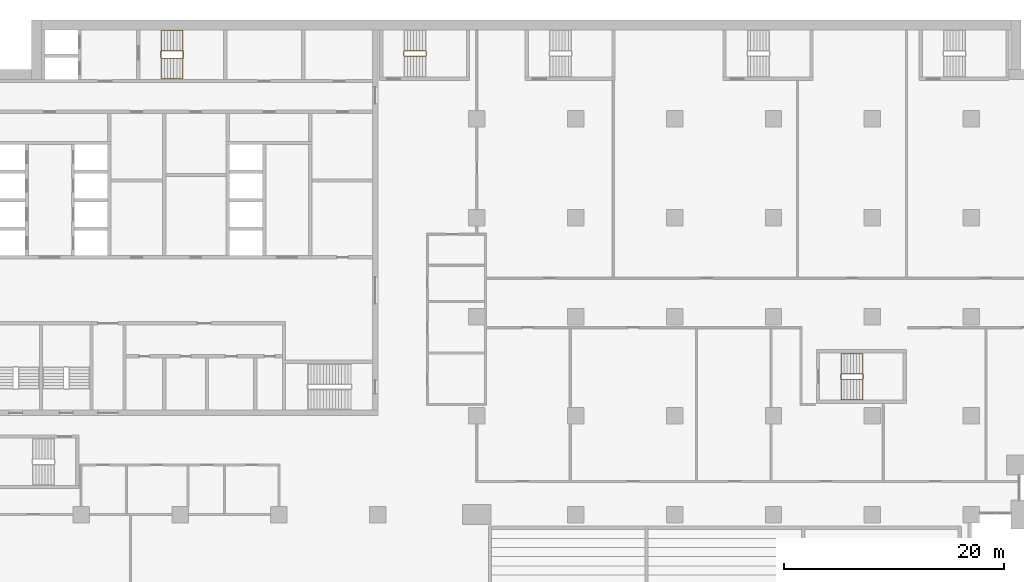
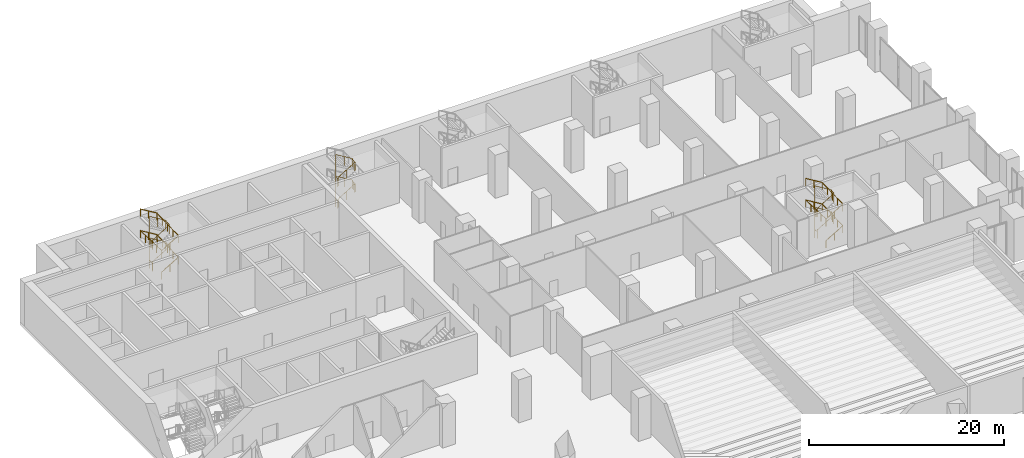
# One storey, part 36 of 44: 5 railings.
"""IFC4 building model written with IfcOpenShell, lengths in metres."""

from ifc_helpers import new_model, si_unit, direction, frame, origin, origin_2d, place, context, subcontext, project, spatial, circle, extrude, material, type_object, element, save


model = new_model("IFC4")

# Units and contexts
model_context = context("Model", 3, precision=1e-05, world=origin(), true_north=direction((0.0, 1.0)))
body_context = subcontext(model_context, "Body", "Model", "MODEL_VIEW")
ifc_project = project(units=[si_unit("LENGTHUNIT", "METRE"), si_unit("AREAUNIT", "SQUARE_METRE"), si_unit("VOLUMEUNIT", "CUBIC_METRE"), si_unit("PLANEANGLEUNIT", "RADIAN"), si_unit("MASSUNIT", "GRAM", prefix="KILO")], contexts=[model_context])

# Site, building, storey
site_placement = place(None, origin())
site = spatial("IfcSite", under=ifc_project, at=site_placement, CompositionType="ELEMENT")
building_placement = place(site_placement, origin())
building = spatial("IfcBuilding", under=site, at=building_placement, Name="Hunhe Ridgeline Campus", CompositionType="ELEMENT")
storey_placement = place(building_placement, frame((0.0, 0.0, 6.0)))
storey = spatial("IfcBuildingStorey", under=building, at=storey_placement, Name="L01", CompositionType="ELEMENT", Elevation=6.0)

# Railings
ifc_material_1 = material(Name="Stainless steel balustrade", Category="steel")
railing_type_1 = type_object("IfcRailingType", Name="Stair guard 1100 stainless", PredefinedType="GUARDRAIL", material=ifc_material_1)
railing_1_placement = place(storey_placement, frame((16.300048828125, 95.5, 0.168701171875)))
element("IfcRailing", 1, at=railing_1_placement, inside=storey, type_object=railing_type_1, Name="L01 stair S1 guard", PredefinedType="GUARDRAIL", context=body_context, shape_type="SweptSolid", body=[
    extrude(circle(Radius=0.02392578125, at=origin_2d()), frame((0.0, 0.0, 1.076171875), z_axis=(0.856446297458, 0.0, 0.516236127728), x_axis=(0.0, 1.0, 0.0)), (0.0, 0.0, 1.0), 2.28857421875),
    extrude(circle(Radius=0.02392578125, at=origin_2d()), frame((1.9599609375, 0.0, 2.25732421875), z_axis=(0.707106781187, 0.707106781187, 0.0), x_axis=(-0.707106781187, 0.707106781187, 0.0)), (0.0, 0.0, 1.0), 0.07080078125),
    extrude(circle(Radius=0.02392578125, at=origin_2d()), frame((2.010009765625, 0.050048828125, 2.25732421875), z_axis=(0.0, 1.0, 0.0), x_axis=(-1.0, 0.0, 0.0)), (0.0, 0.0, 1.0), 0.599853515625),
    extrude(circle(Radius=0.02392578125, at=origin_2d()), frame((2.010009765625, 0.64990234375, 2.25732421875), z_axis=(-0.273569069059, 0.273569069059, 0.922127935218), x_axis=(-0.707106781187, -0.707106781187, 0.0)), (0.0, 0.0, 1.0), 0.182861328125),
    extrude(circle(Radius=0.02392578125, at=origin_2d()), frame((1.9599609375, 0.699951171875, 2.42626953125), z_axis=(-0.856493463811, 0.0, 0.516157869696), x_axis=(0.0, -1.0, 0.0)), (0.0, 0.0, 1.0), 2.288330078125),
    extrude(circle(Radius=0.02392578125, at=origin_2d()), frame((0.0, 0.699951171875, 3.607421875), z_axis=(-0.707106781187, -0.707106781187, 0.0), x_axis=(0.707106781187, -0.707106781187, 0.0)), (0.0, 0.0, 1.0), 0.07080078125),
    extrude(circle(Radius=0.02392578125, at=origin_2d()), frame((-0.050048828125, 0.64990234375, 3.607421875), z_axis=(0.0, -1.0, 0.0), x_axis=(1.0, 0.0, 0.0)), (0.0, 0.0, 1.0), 0.599853515625),
    extrude(circle(Radius=0.02392578125, at=origin_2d()), frame((-0.050048828125, 0.050048828125, 3.607421875), z_axis=(0.273569069059, -0.273569069059, 0.922127935218), x_axis=(0.707106781187, 0.707106781187, 0.0)), (0.0, 0.0, 1.0), 0.182861328125),
    extrude(circle(Radius=0.02392578125, at=origin_2d()), frame((0.0, 0.0, 3.77587890625), z_axis=(0.856446297458, 0.0, 0.516236127728), x_axis=(0.0, 1.0, 0.0)), (0.0, 0.0, 1.0), 2.28857421875),
    extrude(circle(Radius=0.02392578125, at=origin_2d()), frame((1.9599609375, 0.0, 4.95751953125), z_axis=(0.707106781187, 0.707106781187, 0.0), x_axis=(-0.707106781187, 0.707106781187, 0.0)), (0.0, 0.0, 1.0), 0.07080078125),
    extrude(circle(Radius=0.02392578125, at=origin_2d()), frame((2.010009765625, 0.050048828125, 4.95751953125), z_axis=(0.0, 1.0, 0.0), x_axis=(-1.0, 0.0, 0.0)), (0.0, 0.0, 1.0), 0.599853515625),
    extrude(circle(Radius=0.02392578125, at=origin_2d()), frame((2.010009765625, 0.64990234375, 4.95751953125), z_axis=(-0.273569069059, 0.273569069059, 0.922127935218), x_axis=(-0.707106781187, -0.707106781187, 0.0)), (0.0, 0.0, 1.0), 0.182861328125),
    extrude(circle(Radius=0.02392578125, at=origin_2d()), frame((1.9599609375, 0.699951171875, 5.1259765625), z_axis=(-0.856493463811, 0.0, 0.516157869696), x_axis=(0.0, -1.0, 0.0)), (0.0, 0.0, 1.0), 2.288330078125),
    extrude(circle(Radius=0.02392578125, at=origin_2d()), frame((0.0, 0.699951171875, 6.30712890625), z_axis=(-0.009267673019, -0.009267673019, -0.999914106548), x_axis=(1.0, 0.0, 0.0)), (0.0, 0.0, 1.0), 5.400390625),
    extrude(circle(Radius=0.02392578125, at=origin_2d()), frame((-0.050048828125, 0.64990234375, 0.9072265625), z_axis=(0.0, -1.0, 0.0), x_axis=(1.0, 0.0, 0.0)), (0.0, 0.0, 1.0), 0.599853515625),
    extrude(circle(Radius=0.02099609375, at=origin_2d()), origin(), (0.0, 0.0, 1.0), 1.052001953125),
    extrude(circle(Radius=0.02099609375, at=origin_2d()), frame((0.97998046875, 0.0, 0.5908203125)), (0.0, 0.0, 1.0), 1.052001953125),
    extrude(circle(Radius=0.02099609375, at=origin_2d()), frame((1.9599609375, 0.0, 1.181396484375)), (0.0, 0.0, 1.0), 1.052001953125),
    extrude(circle(Radius=0.02099609375, at=origin_2d()), frame((2.010009765625, 0.050048828125, 1.181396484375)), (0.0, 0.0, 1.0), 1.052001953125),
    extrude(circle(Radius=0.02099609375, at=origin_2d()), frame((2.010009765625, 0.64990234375, 1.181396484375)), (0.0, 0.0, 1.0), 1.052001953125),
    extrude(circle(Radius=0.02099609375, at=origin_2d()), frame((1.9599609375, 0.699951171875, 1.35009765625)), (0.0, 0.0, 1.0), 1.052001953125),
    extrude(circle(Radius=0.02099609375, at=origin_2d()), frame((0.97998046875, 0.699951171875, 1.940673828125)), (0.0, 0.0, 1.0), 1.052001953125),
    extrude(circle(Radius=0.02099609375, at=origin_2d()), frame((0.0, 0.699951171875, 2.53125)), (0.0, 0.0, 1.0), 1.052001953125),
    extrude(circle(Radius=0.02099609375, at=origin_2d()), frame((-0.050048828125, 0.64990234375, 2.53125)), (0.0, 0.0, 1.0), 1.052001953125),
    extrude(circle(Radius=0.02099609375, at=origin_2d()), frame((-0.050048828125, 0.050048828125, 2.53125)), (0.0, 0.0, 1.0), 1.052001953125),
    extrude(circle(Radius=0.02099609375, at=origin_2d()), frame((0.0, 0.0, 2.699951171875)), (0.0, 0.0, 1.0), 1.052001953125),
    extrude(circle(Radius=0.02099609375, at=origin_2d()), frame((0.97998046875, 0.0, 3.29052734375)), (0.0, 0.0, 1.0), 1.052001953125),
    extrude(circle(Radius=0.02099609375, at=origin_2d()), frame((1.9599609375, 0.0, 3.88134765625)), (0.0, 0.0, 1.0), 1.052001953125),
    extrude(circle(Radius=0.02099609375, at=origin_2d()), frame((2.010009765625, 0.050048828125, 3.88134765625)), (0.0, 0.0, 1.0), 1.052001953125),
    extrude(circle(Radius=0.02099609375, at=origin_2d()), frame((2.010009765625, 0.64990234375, 3.88134765625)), (0.0, 0.0, 1.0), 1.052001953125),
    extrude(circle(Radius=0.02099609375, at=origin_2d()), frame((1.9599609375, 0.699951171875, 4.050048828125)), (0.0, 0.0, 1.0), 1.052001953125),
    extrude(circle(Radius=0.02099609375, at=origin_2d()), frame((0.97998046875, 0.699951171875, 4.640625)), (0.0, 0.0, 1.0), 1.052001953125),
    extrude(circle(Radius=0.02099609375, at=origin_2d()), frame((0.0, 0.699951171875, 5.231201171875)), (0.0, 0.0, 1.0), 1.052001953125),
    extrude(circle(Radius=0.02099609375, at=origin_2d()), frame((-0.010009765625, 0.68994140625, 4.151123046875)), (0.0, 0.0, 1.0), 1.052001953125),
    extrude(circle(Radius=0.02099609375, at=origin_2d()), frame((-0.02001953125, 0.679931640625, 3.0712890625)), (0.0, 0.0, 1.0), 1.052001953125),
    extrude(circle(Radius=0.02099609375, at=origin_2d()), frame((-0.030029296875, 0.669921875, 1.9912109375)), (0.0, 0.0, 1.0), 1.052001953125),
    extrude(circle(Radius=0.02099609375, at=origin_2d()), frame((-0.0400390625, 0.659912109375, 0.911376953125)), (0.0, 0.0, 1.0), 1.052001953125),
    extrude(circle(Radius=0.02099609375, at=origin_2d()), frame((-0.050048828125, 0.64990234375, -0.168701171875)), (0.0, 0.0, 1.0), 1.052001953125),
    extrude(circle(Radius=0.02099609375, at=origin_2d()), frame((-0.050048828125, 0.050048828125, -0.168701171875)), (0.0, 0.0, 1.0), 1.052001953125),
])
railing_2_placement = place(storey_placement, frame((38.39990234375, 95.699951171875, 0.168701171875)))
element("IfcRailing", 2, at=railing_2_placement, inside=storey, type_object=railing_type_1, Name="L01 stair E1 guard", PredefinedType="GUARDRAIL", context=body_context, shape_type="SweptSolid", body=[
    extrude(circle(Radius=0.02392578125, at=origin_2d()), frame((0.0, 0.0, 1.076171875), z_axis=(0.856474724393, 0.0, 0.516188963923), x_axis=(0.0, 1.0, 0.0)), (0.0, 0.0, 1.0), 2.28857421875),
    extrude(circle(Radius=0.02392578125, at=origin_2d()), frame((1.960205078125, 0.0, 2.25732421875), z_axis=(0.705375805398, 0.708833529934, 0.0), x_axis=(-0.708833529934, 0.705375805398, 0.0)), (0.0, 0.0, 1.0), 0.070556640625),
    extrude(circle(Radius=0.02392578125, at=origin_2d()), frame((2.010009765625, 0.050048828125, 2.25732421875), z_axis=(0.0, 1.0, 0.0), x_axis=(-1.0, 0.0, 0.0)), (0.0, 0.0, 1.0), 0.39990234375),
    extrude(circle(Radius=0.02392578125, at=origin_2d()), frame((2.010009765625, 0.449951171875, 2.25732421875), z_axis=(-0.272333783174, 0.273668752699, 0.922463942026), x_axis=(-0.708833529934, -0.705375805398, 0.0)), (0.0, 0.0, 1.0), 0.182861328125),
    extrude(circle(Radius=0.02392578125, at=origin_2d()), frame((1.960205078125, 0.5, 2.42626953125), z_axis=(-0.856521883693, 0.0, 0.516110707847), x_axis=(0.0, -1.0, 0.0)), (0.0, 0.0, 1.0), 2.28857421875),
    extrude(circle(Radius=0.02392578125, at=origin_2d()), frame((0.0, 0.5, 3.607421875), z_axis=(-0.705375805398, -0.708833529934, 0.0), x_axis=(0.708833529934, -0.705375805398, 0.0)), (0.0, 0.0, 1.0), 0.070556640625),
    extrude(circle(Radius=0.02392578125, at=origin_2d()), frame((-0.0498046875, 0.449951171875, 3.607421875), z_axis=(0.0, -1.0, 0.0), x_axis=(1.0, 0.0, 0.0)), (0.0, 0.0, 1.0), 0.39990234375),
    extrude(circle(Radius=0.02392578125, at=origin_2d()), frame((-0.0498046875, 0.050048828125, 3.607421875), z_axis=(0.272333783174, -0.273668752699, 0.922463942026), x_axis=(0.708833529934, 0.705375805398, 0.0)), (0.0, 0.0, 1.0), 0.182861328125),
    extrude(circle(Radius=0.02392578125, at=origin_2d()), frame((0.0, 0.0, 3.77587890625), z_axis=(0.856474724393, 0.0, 0.516188963923), x_axis=(0.0, 1.0, 0.0)), (0.0, 0.0, 1.0), 2.28857421875),
    extrude(circle(Radius=0.02392578125, at=origin_2d()), frame((1.960205078125, 0.0, 4.95751953125), z_axis=(0.705375805398, 0.708833529934, 0.0), x_axis=(-0.708833529934, 0.705375805398, 0.0)), (0.0, 0.0, 1.0), 0.070556640625),
    extrude(circle(Radius=0.02392578125, at=origin_2d()), frame((2.010009765625, 0.050048828125, 4.95751953125), z_axis=(0.0, 1.0, 0.0), x_axis=(-1.0, 0.0, 0.0)), (0.0, 0.0, 1.0), 0.39990234375),
    extrude(circle(Radius=0.02392578125, at=origin_2d()), frame((2.010009765625, 0.449951171875, 4.95751953125), z_axis=(-0.272333783174, 0.273668752699, 0.922463942026), x_axis=(-0.708833529934, -0.705375805398, 0.0)), (0.0, 0.0, 1.0), 0.182861328125),
    extrude(circle(Radius=0.02392578125, at=origin_2d()), frame((1.960205078125, 0.5, 5.1259765625), z_axis=(-0.856521883693, 0.0, 0.516110707847), x_axis=(0.0, -1.0, 0.0)), (0.0, 0.0, 1.0), 2.28857421875),
    extrude(circle(Radius=0.02392578125, at=origin_2d()), frame((0.0, 0.5, 6.30712890625), z_axis=(-0.009222468713, -0.009267676893, -0.999914524465), x_axis=(1.0, 0.0, 0.0)), (0.0, 0.0, 1.0), 5.400390625),
    extrude(circle(Radius=0.02392578125, at=origin_2d()), frame((-0.0498046875, 0.449951171875, 0.9072265625), z_axis=(0.0, -1.0, 0.0), x_axis=(1.0, 0.0, 0.0)), (0.0, 0.0, 1.0), 0.39990234375),
    extrude(circle(Radius=0.02099609375, at=origin_2d()), origin(), (0.0, 0.0, 1.0), 1.052001953125),
    extrude(circle(Radius=0.02099609375, at=origin_2d()), frame((0.97998046875, 0.0, 0.5908203125)), (0.0, 0.0, 1.0), 1.052001953125),
    extrude(circle(Radius=0.02099609375, at=origin_2d()), frame((1.960205078125, 0.0, 1.181396484375)), (0.0, 0.0, 1.0), 1.052001953125),
    extrude(circle(Radius=0.02099609375, at=origin_2d()), frame((2.010009765625, 0.050048828125, 1.181396484375)), (0.0, 0.0, 1.0), 1.052001953125),
    extrude(circle(Radius=0.02099609375, at=origin_2d()), frame((2.010009765625, 0.449951171875, 1.181396484375)), (0.0, 0.0, 1.0), 1.052001953125),
    extrude(circle(Radius=0.02099609375, at=origin_2d()), frame((1.960205078125, 0.5, 1.35009765625)), (0.0, 0.0, 1.0), 1.052001953125),
    extrude(circle(Radius=0.02099609375, at=origin_2d()), frame((0.97998046875, 0.5, 1.940673828125)), (0.0, 0.0, 1.0), 1.052001953125),
    extrude(circle(Radius=0.02099609375, at=origin_2d()), frame((0.0, 0.5, 2.53125)), (0.0, 0.0, 1.0), 1.052001953125),
    extrude(circle(Radius=0.02099609375, at=origin_2d()), frame((-0.0498046875, 0.449951171875, 2.53125)), (0.0, 0.0, 1.0), 1.052001953125),
    extrude(circle(Radius=0.02099609375, at=origin_2d()), frame((-0.0498046875, 0.050048828125, 2.53125)), (0.0, 0.0, 1.0), 1.052001953125),
    extrude(circle(Radius=0.02099609375, at=origin_2d()), frame((0.0, 0.0, 2.699951171875)), (0.0, 0.0, 1.0), 1.052001953125),
    extrude(circle(Radius=0.02099609375, at=origin_2d()), frame((0.97998046875, 0.0, 3.29052734375)), (0.0, 0.0, 1.0), 1.052001953125),
    extrude(circle(Radius=0.02099609375, at=origin_2d()), frame((1.960205078125, 0.0, 3.88134765625)), (0.0, 0.0, 1.0), 1.052001953125),
    extrude(circle(Radius=0.02099609375, at=origin_2d()), frame((2.010009765625, 0.050048828125, 3.88134765625)), (0.0, 0.0, 1.0), 1.052001953125),
    extrude(circle(Radius=0.02099609375, at=origin_2d()), frame((2.010009765625, 0.449951171875, 3.88134765625)), (0.0, 0.0, 1.0), 1.052001953125),
    extrude(circle(Radius=0.02099609375, at=origin_2d()), frame((1.960205078125, 0.5, 4.050048828125)), (0.0, 0.0, 1.0), 1.052001953125),
    extrude(circle(Radius=0.02099609375, at=origin_2d()), frame((0.97998046875, 0.5, 4.640625)), (0.0, 0.0, 1.0), 1.052001953125),
    extrude(circle(Radius=0.02099609375, at=origin_2d()), frame((0.0, 0.5, 5.231201171875)), (0.0, 0.0, 1.0), 1.052001953125),
    extrude(circle(Radius=0.02099609375, at=origin_2d()), frame((-0.010009765625, 0.489990234375, 4.151123046875)), (0.0, 0.0, 1.0), 1.052001953125),
    extrude(circle(Radius=0.02099609375, at=origin_2d()), frame((-0.02001953125, 0.47998046875, 3.0712890625)), (0.0, 0.0, 1.0), 1.052001953125),
    extrude(circle(Radius=0.02099609375, at=origin_2d()), frame((-0.02978515625, 0.469970703125, 1.9912109375)), (0.0, 0.0, 1.0), 1.052001953125),
    extrude(circle(Radius=0.02099609375, at=origin_2d()), frame((-0.039794921875, 0.4599609375, 0.911376953125)), (0.0, 0.0, 1.0), 1.052001953125),
    extrude(circle(Radius=0.02099609375, at=origin_2d()), frame((-0.0498046875, 0.449951171875, -0.168701171875)), (0.0, 0.0, 1.0), 1.052001953125),
    extrude(circle(Radius=0.02099609375, at=origin_2d()), frame((-0.0498046875, 0.050048828125, -0.168701171875)), (0.0, 0.0, 1.0), 1.052001953125),
])
railing_3_placement = place(storey_placement, frame((78.14990234375, 66.300048828125, 0.168701171875)))
element("IfcRailing", 3, at=railing_3_placement, inside=storey, type_object=railing_type_1, Name="L01 stair E5 guard", PredefinedType="GUARDRAIL", context=body_context, shape_type="SweptSolid", body=[
    extrude(circle(Radius=0.02392578125, at=origin_2d()), frame((0.0, 0.0, 1.076171875), z_axis=(0.856474724393, 0.0, 0.516188963923), x_axis=(0.0, 1.0, 0.0)), (0.0, 0.0, 1.0), 2.28857421875),
    extrude(circle(Radius=0.02392578125, at=origin_2d()), frame((1.960205078125, 0.0, 2.25732421875), z_axis=(0.705375805398, 0.708833529934, 0.0), x_axis=(-0.708833529934, 0.705375805398, 0.0)), (0.0, 0.0, 1.0), 0.070556640625),
    extrude(circle(Radius=0.02392578125, at=origin_2d()), frame((2.010009765625, 0.050048828125, 2.25732421875), z_axis=(0.0, 1.0, 0.0), x_axis=(-1.0, 0.0, 0.0)), (0.0, 0.0, 1.0), 0.39990234375),
    extrude(circle(Radius=0.02392578125, at=origin_2d()), frame((2.010009765625, 0.449951171875, 2.25732421875), z_axis=(-0.272333783174, 0.273668752699, 0.922463942026), x_axis=(-0.708833529934, -0.705375805398, 0.0)), (0.0, 0.0, 1.0), 0.182861328125),
    extrude(circle(Radius=0.02392578125, at=origin_2d()), frame((1.960205078125, 0.5, 2.42626953125), z_axis=(-0.856521883693, 0.0, 0.516110707847), x_axis=(0.0, -1.0, 0.0)), (0.0, 0.0, 1.0), 2.28857421875),
    extrude(circle(Radius=0.02392578125, at=origin_2d()), frame((0.0, 0.5, 3.607421875), z_axis=(-0.705375805398, -0.708833529934, 0.0), x_axis=(0.708833529934, -0.705375805398, 0.0)), (0.0, 0.0, 1.0), 0.070556640625),
    extrude(circle(Radius=0.02392578125, at=origin_2d()), frame((-0.0498046875, 0.449951171875, 3.607421875), z_axis=(0.0, -1.0, 0.0), x_axis=(1.0, 0.0, 0.0)), (0.0, 0.0, 1.0), 0.39990234375),
    extrude(circle(Radius=0.02392578125, at=origin_2d()), frame((-0.0498046875, 0.050048828125, 3.607421875), z_axis=(0.272333783174, -0.273668752699, 0.922463942026), x_axis=(0.708833529934, 0.705375805398, 0.0)), (0.0, 0.0, 1.0), 0.182861328125),
    extrude(circle(Radius=0.02392578125, at=origin_2d()), frame((0.0, 0.0, 3.77587890625), z_axis=(0.856474724393, 0.0, 0.516188963923), x_axis=(0.0, 1.0, 0.0)), (0.0, 0.0, 1.0), 2.28857421875),
    extrude(circle(Radius=0.02392578125, at=origin_2d()), frame((1.960205078125, 0.0, 4.95751953125), z_axis=(0.705375805398, 0.708833529934, 0.0), x_axis=(-0.708833529934, 0.705375805398, 0.0)), (0.0, 0.0, 1.0), 0.070556640625),
    extrude(circle(Radius=0.02392578125, at=origin_2d()), frame((2.010009765625, 0.050048828125, 4.95751953125), z_axis=(0.0, 1.0, 0.0), x_axis=(-1.0, 0.0, 0.0)), (0.0, 0.0, 1.0), 0.39990234375),
    extrude(circle(Radius=0.02392578125, at=origin_2d()), frame((2.010009765625, 0.449951171875, 4.95751953125), z_axis=(-0.272333783174, 0.273668752699, 0.922463942026), x_axis=(-0.708833529934, -0.705375805398, 0.0)), (0.0, 0.0, 1.0), 0.182861328125),
    extrude(circle(Radius=0.02392578125, at=origin_2d()), frame((1.960205078125, 0.5, 5.1259765625), z_axis=(-0.856521883693, 0.0, 0.516110707847), x_axis=(0.0, -1.0, 0.0)), (0.0, 0.0, 1.0), 2.28857421875),
    extrude(circle(Radius=0.02392578125, at=origin_2d()), frame((0.0, 0.5, 6.30712890625), z_axis=(-0.009222468713, -0.009267676893, -0.999914524465), x_axis=(1.0, 0.0, 0.0)), (0.0, 0.0, 1.0), 5.400390625),
    extrude(circle(Radius=0.02392578125, at=origin_2d()), frame((-0.0498046875, 0.449951171875, 0.9072265625), z_axis=(0.0, -1.0, 0.0), x_axis=(1.0, 0.0, 0.0)), (0.0, 0.0, 1.0), 0.39990234375),
    extrude(circle(Radius=0.02099609375, at=origin_2d()), origin(), (0.0, 0.0, 1.0), 1.052001953125),
    extrude(circle(Radius=0.02099609375, at=origin_2d()), frame((0.97998046875, 0.0, 0.5908203125)), (0.0, 0.0, 1.0), 1.052001953125),
    extrude(circle(Radius=0.02099609375, at=origin_2d()), frame((1.960205078125, 0.0, 1.181396484375)), (0.0, 0.0, 1.0), 1.052001953125),
    extrude(circle(Radius=0.02099609375, at=origin_2d()), frame((2.010009765625, 0.050048828125, 1.181396484375)), (0.0, 0.0, 1.0), 1.052001953125),
    extrude(circle(Radius=0.02099609375, at=origin_2d()), frame((2.010009765625, 0.449951171875, 1.181396484375)), (0.0, 0.0, 1.0), 1.052001953125),
    extrude(circle(Radius=0.02099609375, at=origin_2d()), frame((1.960205078125, 0.5, 1.35009765625)), (0.0, 0.0, 1.0), 1.052001953125),
    extrude(circle(Radius=0.02099609375, at=origin_2d()), frame((0.97998046875, 0.5, 1.940673828125)), (0.0, 0.0, 1.0), 1.052001953125),
    extrude(circle(Radius=0.02099609375, at=origin_2d()), frame((0.0, 0.5, 2.53125)), (0.0, 0.0, 1.0), 1.052001953125),
    extrude(circle(Radius=0.02099609375, at=origin_2d()), frame((-0.0498046875, 0.449951171875, 2.53125)), (0.0, 0.0, 1.0), 1.052001953125),
    extrude(circle(Radius=0.02099609375, at=origin_2d()), frame((-0.0498046875, 0.050048828125, 2.53125)), (0.0, 0.0, 1.0), 1.052001953125),
    extrude(circle(Radius=0.02099609375, at=origin_2d()), frame((0.0, 0.0, 2.699951171875)), (0.0, 0.0, 1.0), 1.052001953125),
    extrude(circle(Radius=0.02099609375, at=origin_2d()), frame((0.97998046875, 0.0, 3.29052734375)), (0.0, 0.0, 1.0), 1.052001953125),
    extrude(circle(Radius=0.02099609375, at=origin_2d()), frame((1.960205078125, 0.0, 3.88134765625)), (0.0, 0.0, 1.0), 1.052001953125),
    extrude(circle(Radius=0.02099609375, at=origin_2d()), frame((2.010009765625, 0.050048828125, 3.88134765625)), (0.0, 0.0, 1.0), 1.052001953125),
    extrude(circle(Radius=0.02099609375, at=origin_2d()), frame((2.010009765625, 0.449951171875, 3.88134765625)), (0.0, 0.0, 1.0), 1.052001953125),
    extrude(circle(Radius=0.02099609375, at=origin_2d()), frame((1.960205078125, 0.5, 4.050048828125)), (0.0, 0.0, 1.0), 1.052001953125),
    extrude(circle(Radius=0.02099609375, at=origin_2d()), frame((0.97998046875, 0.5, 4.640625)), (0.0, 0.0, 1.0), 1.052001953125),
    extrude(circle(Radius=0.02099609375, at=origin_2d()), frame((0.0, 0.5, 5.231201171875)), (0.0, 0.0, 1.0), 1.052001953125),
    extrude(circle(Radius=0.02099609375, at=origin_2d()), frame((-0.010009765625, 0.489990234375, 4.151123046875)), (0.0, 0.0, 1.0), 1.052001953125),
    extrude(circle(Radius=0.02099609375, at=origin_2d()), frame((-0.02001953125, 0.47998046875, 3.0712890625)), (0.0, 0.0, 1.0), 1.052001953125),
    extrude(circle(Radius=0.02099609375, at=origin_2d()), frame((-0.02978515625, 0.469970703125, 1.9912109375)), (0.0, 0.0, 1.0), 1.052001953125),
    extrude(circle(Radius=0.02099609375, at=origin_2d()), frame((-0.039794921875, 0.4599609375, 0.911376953125)), (0.0, 0.0, 1.0), 1.052001953125),
    extrude(circle(Radius=0.02099609375, at=origin_2d()), frame((-0.0498046875, 0.449951171875, -0.168701171875)), (0.0, 0.0, 1.0), 1.052001953125),
    extrude(circle(Radius=0.02099609375, at=origin_2d()), frame((-0.0498046875, 0.050048828125, -0.168701171875)), (0.0, 0.0, 1.0), 1.052001953125),
])
ifc_material_2 = material(Name="Stainless steel handrail", Category="steel")
railing_type_2 = type_object("IfcRailingType", Name="Stair handrail 900 stainless", PredefinedType="HANDRAIL", material=ifc_material_2)
railing_4_placement = place(storey_placement, frame((16.300048828125, 93.64990234375, 0.168701171875)))
element("IfcRailing", 4, at=railing_4_placement, inside=storey, type_object=railing_type_2, Name="L01 stair S1 handrail", PredefinedType="HANDRAIL", context=body_context, shape_type="SweptSolid", body=[
    extrude(circle(Radius=0.02392578125, at=origin_2d()), frame((0.0, 0.0, 0.8759765625), z_axis=(0.856446297458, 0.0, 0.516236127728), x_axis=(0.0, 1.0, 0.0)), (0.0, 0.0, 1.0), 2.28857421875),
    extrude(circle(Radius=0.02392578125, at=origin_2d()), frame((1.9599609375, 0.0, 2.05712890625), z_axis=(0.0, 0.99926583536, 0.03831175122), x_axis=(-1.0, 0.0, 0.0)), (0.0, 0.0, 1.0), 4.4033203125),
    extrude(circle(Radius=0.02392578125, at=origin_2d()), frame((1.9599609375, 4.400146484375, 2.22607421875), z_axis=(-0.856493463811, 0.0, 0.516157869696), x_axis=(0.0, -1.0, 0.0)), (0.0, 0.0, 1.0), 2.288330078125),
    extrude(circle(Radius=0.02392578125, at=origin_2d()), frame((0.0, 4.400146484375, 3.4072265625), z_axis=(0.0, -0.99926583536, 0.03831175122), x_axis=(1.0, 0.0, 0.0)), (0.0, 0.0, 1.0), 4.4033203125),
    extrude(circle(Radius=0.02392578125, at=origin_2d()), frame((0.0, 0.0, 3.57568359375), z_axis=(0.856446297458, 0.0, 0.516236127728), x_axis=(0.0, 1.0, 0.0)), (0.0, 0.0, 1.0), 2.28857421875),
    extrude(circle(Radius=0.02392578125, at=origin_2d()), frame((1.9599609375, 0.0, 4.75732421875), z_axis=(0.0, 0.99926583536, 0.03831175122), x_axis=(-1.0, 0.0, 0.0)), (0.0, 0.0, 1.0), 4.4033203125),
    extrude(circle(Radius=0.02392578125, at=origin_2d()), frame((1.9599609375, 4.400146484375, 4.92578125), z_axis=(-0.856493463811, 0.0, 0.516157869696), x_axis=(0.0, -1.0, 0.0)), (0.0, 0.0, 1.0), 2.288330078125),
    extrude(circle(Radius=0.02099609375, at=origin_2d()), origin(), (0.0, 0.0, 1.0), 0.851806640625),
    extrude(circle(Radius=0.02099609375, at=origin_2d()), frame((0.97998046875, 0.0, 0.5908203125)), (0.0, 0.0, 1.0), 0.851806640625),
    extrude(circle(Radius=0.02099609375, at=origin_2d()), frame((1.9599609375, 0.0, 1.181396484375)), (0.0, 0.0, 1.0), 0.851806640625),
    extrude(circle(Radius=0.02099609375, at=origin_2d()), frame((1.9599609375, 1.10009765625, 1.2236328125)), (0.0, 0.0, 1.0), 0.851806640625),
    extrude(circle(Radius=0.02099609375, at=origin_2d()), frame((1.9599609375, 2.2001953125, 1.265625)), (0.0, 0.0, 1.0), 0.851806640625),
    extrude(circle(Radius=0.02099609375, at=origin_2d()), frame((1.9599609375, 3.300048828125, 1.307861328125)), (0.0, 0.0, 1.0), 0.851806640625),
    extrude(circle(Radius=0.02099609375, at=origin_2d()), frame((1.9599609375, 4.400146484375, 1.35009765625)), (0.0, 0.0, 1.0), 0.851806640625),
    extrude(circle(Radius=0.02099609375, at=origin_2d()), frame((0.97998046875, 4.400146484375, 1.940673828125)), (0.0, 0.0, 1.0), 0.851806640625),
    extrude(circle(Radius=0.02099609375, at=origin_2d()), frame((0.0, 4.400146484375, 2.53125)), (0.0, 0.0, 1.0), 0.851806640625),
    extrude(circle(Radius=0.02099609375, at=origin_2d()), frame((0.0, 3.300048828125, 2.573486328125)), (0.0, 0.0, 1.0), 0.851806640625),
    extrude(circle(Radius=0.02099609375, at=origin_2d()), frame((0.0, 2.2001953125, 2.61572265625)), (0.0, 0.0, 1.0), 0.851806640625),
    extrude(circle(Radius=0.02099609375, at=origin_2d()), frame((0.0, 1.10009765625, 2.65771484375)), (0.0, 0.0, 1.0), 0.851806640625),
    extrude(circle(Radius=0.02099609375, at=origin_2d()), frame((0.0, 0.0, 2.699951171875)), (0.0, 0.0, 1.0), 0.851806640625),
    extrude(circle(Radius=0.02099609375, at=origin_2d()), frame((0.97998046875, 0.0, 3.29052734375)), (0.0, 0.0, 1.0), 0.851806640625),
    extrude(circle(Radius=0.02099609375, at=origin_2d()), frame((1.9599609375, 0.0, 3.88134765625)), (0.0, 0.0, 1.0), 0.851806640625),
    extrude(circle(Radius=0.02099609375, at=origin_2d()), frame((1.9599609375, 1.10009765625, 3.923583984375)), (0.0, 0.0, 1.0), 0.851806640625),
    extrude(circle(Radius=0.02099609375, at=origin_2d()), frame((1.9599609375, 2.2001953125, 3.9658203125)), (0.0, 0.0, 1.0), 0.851806640625),
    extrude(circle(Radius=0.02099609375, at=origin_2d()), frame((1.9599609375, 3.300048828125, 4.0078125)), (0.0, 0.0, 1.0), 0.851806640625),
    extrude(circle(Radius=0.02099609375, at=origin_2d()), frame((1.9599609375, 4.400146484375, 4.050048828125)), (0.0, 0.0, 1.0), 0.851806640625),
    extrude(circle(Radius=0.02099609375, at=origin_2d()), frame((0.97998046875, 4.400146484375, 4.640625)), (0.0, 0.0, 1.0), 0.851806640625),
    extrude(circle(Radius=0.02099609375, at=origin_2d()), frame((0.0, 4.400146484375, 5.231201171875)), (0.0, 0.0, 1.0), 0.851806640625),
])
railing_5_placement = place(storey_placement, frame((78.14990234375, 64.449951171875, 0.168701171875)))
element("IfcRailing", 5, at=railing_5_placement, inside=storey, type_object=railing_type_2, Name="L01 stair E5 handrail", PredefinedType="HANDRAIL", context=body_context, shape_type="SweptSolid", body=[
    extrude(circle(Radius=0.02392578125, at=origin_2d()), frame((0.0, 0.0, 0.8759765625), z_axis=(0.856474724393, 0.0, 0.516188963923), x_axis=(0.0, 1.0, 0.0)), (0.0, 0.0, 1.0), 2.28857421875),
    extrude(circle(Radius=0.02392578125, at=origin_2d()), frame((1.960205078125, 0.0, 2.05712890625), z_axis=(0.0, 0.999194264342, 0.040135048344), x_axis=(-1.0, 0.0, 0.0)), (0.0, 0.0, 1.0), 4.203369140625),
    extrude(circle(Radius=0.02392578125, at=origin_2d()), frame((1.960205078125, 4.199951171875, 2.22607421875), z_axis=(-0.856521883693, 0.0, 0.516110707847), x_axis=(0.0, -1.0, 0.0)), (0.0, 0.0, 1.0), 2.28857421875),
    extrude(circle(Radius=0.02392578125, at=origin_2d()), frame((0.0, 4.199951171875, 3.4072265625), z_axis=(0.0, -0.999194264342, 0.040135048344), x_axis=(1.0, 0.0, 0.0)), (0.0, 0.0, 1.0), 4.203369140625),
    extrude(circle(Radius=0.02392578125, at=origin_2d()), frame((0.0, 0.0, 3.57568359375), z_axis=(0.856474724393, 0.0, 0.516188963923), x_axis=(0.0, 1.0, 0.0)), (0.0, 0.0, 1.0), 2.28857421875),
    extrude(circle(Radius=0.02392578125, at=origin_2d()), frame((1.960205078125, 0.0, 4.75732421875), z_axis=(0.0, 0.999194264342, 0.040135048344), x_axis=(-1.0, 0.0, 0.0)), (0.0, 0.0, 1.0), 4.203369140625),
    extrude(circle(Radius=0.02392578125, at=origin_2d()), frame((1.960205078125, 4.199951171875, 4.92578125), z_axis=(-0.856521883693, 0.0, 0.516110707847), x_axis=(0.0, -1.0, 0.0)), (0.0, 0.0, 1.0), 2.28857421875),
    extrude(circle(Radius=0.02099609375, at=origin_2d()), origin(), (0.0, 0.0, 1.0), 0.851806640625),
    extrude(circle(Radius=0.02099609375, at=origin_2d()), frame((0.97998046875, 0.0, 0.5908203125)), (0.0, 0.0, 1.0), 0.851806640625),
    extrude(circle(Radius=0.02099609375, at=origin_2d()), frame((1.960205078125, 0.0, 1.181396484375)), (0.0, 0.0, 1.0), 0.851806640625),
    extrude(circle(Radius=0.02099609375, at=origin_2d()), frame((1.960205078125, 1.050048828125, 1.2236328125)), (0.0, 0.0, 1.0), 0.851806640625),
    extrude(circle(Radius=0.02099609375, at=origin_2d()), frame((1.960205078125, 2.10009765625, 1.265625)), (0.0, 0.0, 1.0), 0.851806640625),
    extrude(circle(Radius=0.02099609375, at=origin_2d()), frame((1.960205078125, 3.14990234375, 1.307861328125)), (0.0, 0.0, 1.0), 0.851806640625),
    extrude(circle(Radius=0.02099609375, at=origin_2d()), frame((1.960205078125, 4.199951171875, 1.35009765625)), (0.0, 0.0, 1.0), 0.851806640625),
    extrude(circle(Radius=0.02099609375, at=origin_2d()), frame((0.97998046875, 4.199951171875, 1.940673828125)), (0.0, 0.0, 1.0), 0.851806640625),
    extrude(circle(Radius=0.02099609375, at=origin_2d()), frame((0.0, 4.199951171875, 2.53125)), (0.0, 0.0, 1.0), 0.851806640625),
    extrude(circle(Radius=0.02099609375, at=origin_2d()), frame((0.0, 3.14990234375, 2.573486328125)), (0.0, 0.0, 1.0), 0.851806640625),
    extrude(circle(Radius=0.02099609375, at=origin_2d()), frame((0.0, 2.10009765625, 2.61572265625)), (0.0, 0.0, 1.0), 0.851806640625),
    extrude(circle(Radius=0.02099609375, at=origin_2d()), frame((0.0, 1.050048828125, 2.65771484375)), (0.0, 0.0, 1.0), 0.851806640625),
    extrude(circle(Radius=0.02099609375, at=origin_2d()), frame((0.0, 0.0, 2.699951171875)), (0.0, 0.0, 1.0), 0.851806640625),
    extrude(circle(Radius=0.02099609375, at=origin_2d()), frame((0.97998046875, 0.0, 3.29052734375)), (0.0, 0.0, 1.0), 0.851806640625),
    extrude(circle(Radius=0.02099609375, at=origin_2d()), frame((1.960205078125, 0.0, 3.88134765625)), (0.0, 0.0, 1.0), 0.851806640625),
    extrude(circle(Radius=0.02099609375, at=origin_2d()), frame((1.960205078125, 1.050048828125, 3.923583984375)), (0.0, 0.0, 1.0), 0.851806640625),
    extrude(circle(Radius=0.02099609375, at=origin_2d()), frame((1.960205078125, 2.10009765625, 3.9658203125)), (0.0, 0.0, 1.0), 0.851806640625),
    extrude(circle(Radius=0.02099609375, at=origin_2d()), frame((1.960205078125, 3.14990234375, 4.0078125)), (0.0, 0.0, 1.0), 0.851806640625),
    extrude(circle(Radius=0.02099609375, at=origin_2d()), frame((1.960205078125, 4.199951171875, 4.050048828125)), (0.0, 0.0, 1.0), 0.851806640625),
    extrude(circle(Radius=0.02099609375, at=origin_2d()), frame((0.97998046875, 4.199951171875, 4.640625)), (0.0, 0.0, 1.0), 0.851806640625),
    extrude(circle(Radius=0.02099609375, at=origin_2d()), frame((0.0, 4.199951171875, 5.231201171875)), (0.0, 0.0, 1.0), 0.851806640625),
])

save(model, "model.ifc")
